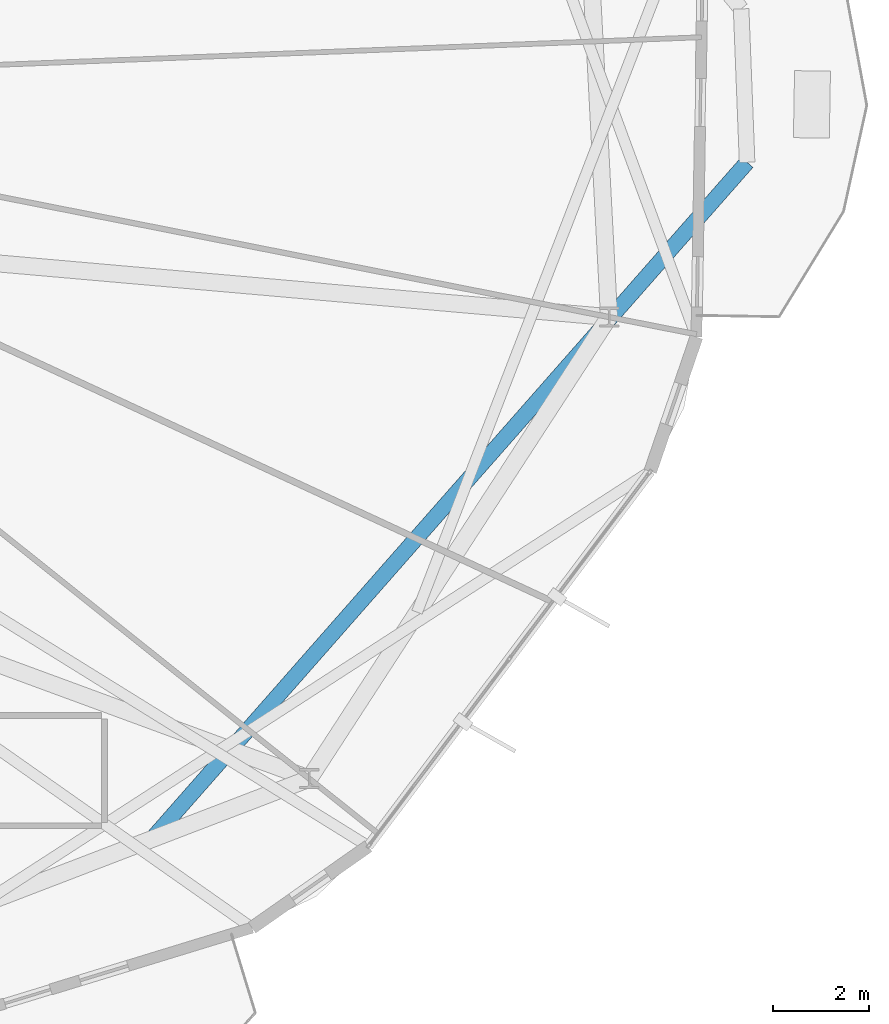
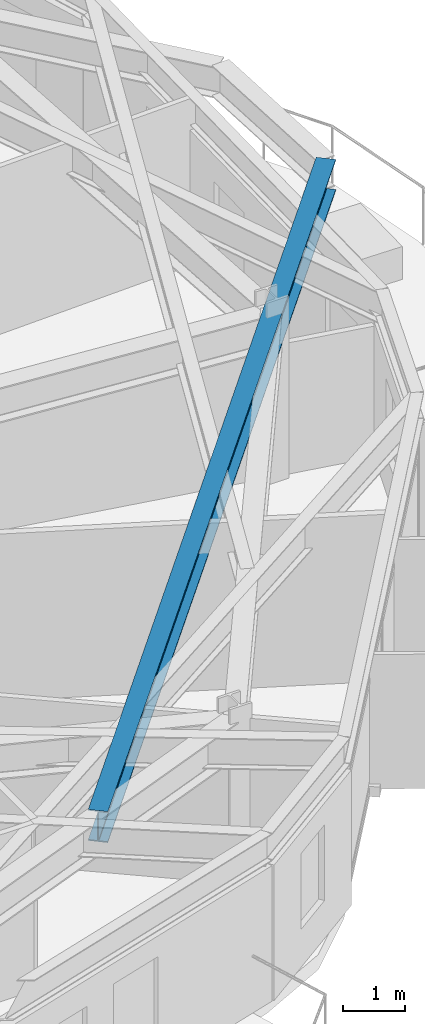
# One storey, part 11 of 29: 1 beam.
"""IFC4 building model written with IfcOpenShell, lengths in metres."""

from ifc_helpers import new_model, si_unit, direction, frame, origin, origin_2d, place, context, subcontext, project, spatial, i_section, extrude, material, material_profile, profile_set, type_object, element, save


model = new_model("IFC4")

# Units and contexts
model_context = context("Model", 3, precision=1e-05, world=origin(), true_north=direction((0.0, 1.0)))
body_context = subcontext(model_context, "Body", "Model", "MODEL_VIEW")
ifc_project = project(units=[si_unit("LENGTHUNIT", "METRE"), si_unit("AREAUNIT", "SQUARE_METRE"), si_unit("VOLUMEUNIT", "CUBIC_METRE"), si_unit("PLANEANGLEUNIT", "RADIAN"), si_unit("MASSUNIT", "GRAM", prefix="KILO")], contexts=[model_context])

# Site, building, storey
site_placement = place(None, origin())
site = spatial("IfcSite", under=ifc_project, at=site_placement, CompositionType="ELEMENT")
building_placement = place(site_placement, origin())
building = spatial("IfcBuilding", under=site, at=building_placement, Name="Soratama Intermodal Tower", CompositionType="ELEMENT")
storey_placement = place(building_placement, frame((0.0, 0.0, 226.60009765625)))
storey = spatial("IfcBuildingStorey", under=building, at=storey_placement, Name="L57", CompositionType="ELEMENT", Elevation=226.60009765625)

# Beam
ifc_material = material(Name="Structural steel ASTM A992 Grade 50", Category="steel")
ifc_material_profile = material_profile(ifc_material, i_section(OverallWidth=0.324951171875, OverallDepth=0.615966796875, WebThickness=0.013916015625, FlangeThickness=0.021484375, FilletRadius=0.013916015625, at=origin_2d()), Name="W24X117")
ifc_profile_set = profile_set([ifc_material_profile], Name="Structural steel ASTM A992 Grade 50")
beam_type = type_object("IfcBeamType", Name="BM-CANT-W24X117", PredefinedType="BEAM", material=ifc_profile_set)
beam_placement = place(storey_placement, frame((53.44091796875, 9.31201171875, 2.991943359375), z_axis=(0.660454468907, 0.750866096252, 0.0), x_axis=(-0.750866096252, 0.660454468907, 0.0)))
element("IfcBeam", 1, at=beam_placement, inside=storey, type_object=beam_type, Name="BM-L57-CANT-1-1", PredefinedType="BEAM", context=body_context, shape_type="SweptSolid", body=[
    extrude(i_section(OverallWidth=0.324951171875, OverallDepth=0.615966796875, WebThickness=0.013916015625, FlangeThickness=0.021484375, FilletRadius=0.013916015625, at=origin_2d()), origin(), (0.0, 0.0, 1.0), 18.788818359375),
])

save(model, "model.ifc")
